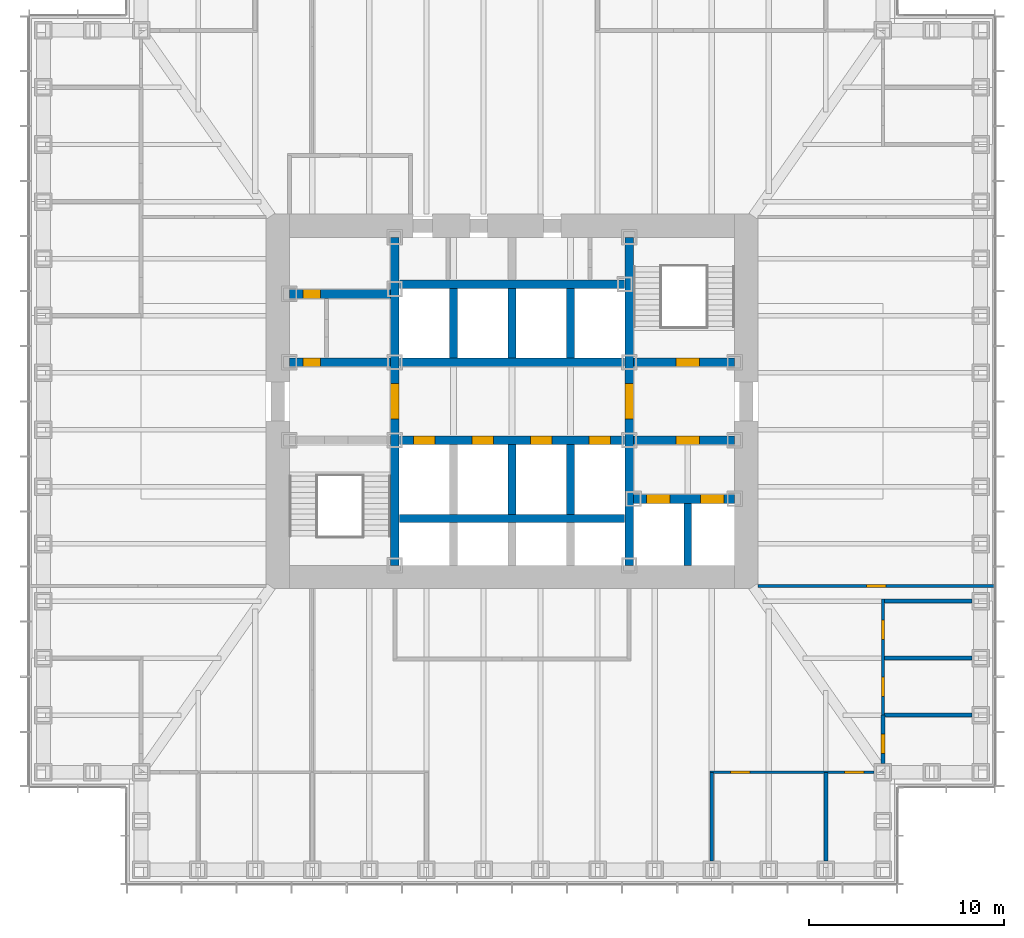
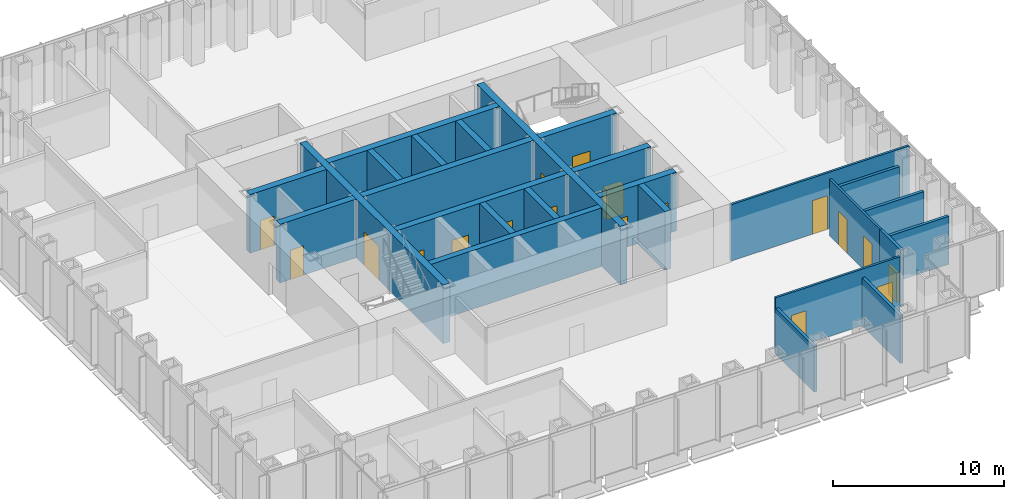
# One storey, part 9 of 17: 26 walls, 18 doors, 18 openings.
"""IFC4 building model written with IfcOpenShell, lengths in metres."""

import ifcopenshell
import ifcopenshell.guid

model = None  # the IFC model being written
_history = None  # IfcOwnerHistory: only IFC2X3 demands one
_inside = {}  # id of a spatial element -> (the spatial element, [elements in it])
_under = {}  # id of a project, library or spatial element -> (it, [spatial elements below it])
_declared = {}  # id of a project -> (the project, [libraries it declares])
_typed = {}  # id of a type object -> (the type object, [elements of that type])
_made_of = {}  # id of a material, layer set ... -> (it, [elements and type objects made of it])


def new_model(schema):
    """Start an empty IFC model of exactly this schema.

    Asked for "IFC4X3", IfcOpenShell would pick the latest addendum, in which some entities
    have other attributes; the version numbers below select the first issue.
    IFC2X3 requires an IfcOwnerHistory on every rooted entity: one is made here for all.
    """
    global model, _history
    if schema == "IFC4X3":
        model = ifcopenshell.file(schema_version=(4, 3, 0, 0))
    else:
        model = ifcopenshell.file(schema=schema)
    _inside.clear()
    _under.clear()
    _declared.clear()
    _typed.clear()
    _made_of.clear()
    _history = None
    if model.schema == "IFC2X3":
        org = make("IfcOrganization", Name="unknown")
        user = make(
            "IfcPersonAndOrganization",
            ThePerson=make("IfcPerson", FamilyName="unknown"),
            TheOrganization=org,
        )
        app = make(
            "IfcApplication",
            ApplicationDeveloper=org,
            Version="unknown",
            ApplicationFullName="unknown",
            ApplicationIdentifier="unknown",
        )
        _history = make(
            "IfcOwnerHistory",
            OwningUser=user,
            OwningApplication=app,
            ChangeAction="ADDED",
            CreationDate=0,
        )
    return model


def make(cls, **values):
    """One entity of the class cls with the attributes given. An attribute that is None is left unset."""
    return model.create_entity(
        cls, **{name: value for name, value in values.items() if value is not None}
    )


def rooted(cls, **values):
    """An entity with a GlobalId (a new one), such as an element, a storey or a relation."""
    return make(cls, GlobalId=ifcopenshell.guid.new(), OwnerHistory=_history, **values)


def si_unit(unit_type, name, prefix=None):
    """IfcSIUnit, for example si_unit("LENGTHUNIT", "METRE", prefix="MILLI")."""
    return make("IfcSIUnit", UnitType=unit_type, Prefix=prefix, Name=name)


def assignment(units):
    """IfcUnitAssignment: the units of a project."""
    return None if units is None else make("IfcUnitAssignment", Units=units)


def point(xyz):
    """IfcCartesianPoint."""
    return None if xyz is None else make("IfcCartesianPoint", Coordinates=xyz)


def direction(xyz):
    """IfcDirection."""
    return None if xyz is None else make("IfcDirection", DirectionRatios=xyz)


def frame(location, z_axis=None, x_axis=None):
    """IfcAxis2Placement3D, a coordinate frame: its origin and axes. An axis left out is left unset."""
    return make(
        "IfcAxis2Placement3D",
        Location=point(location),
        Axis=direction(z_axis),
        RefDirection=direction(x_axis),
    )


def frame_2d(location, x_axis=None):
    """IfcAxis2Placement2D, a coordinate frame in the plane: its origin and x axis."""
    return make(
        "IfcAxis2Placement2D", Location=point(location), RefDirection=direction(x_axis)
    )


def origin():
    """The frame at (0, 0, 0) with its axes left unset."""
    return frame((0.0, 0.0, 0.0))


def place(relative_to, where):
    """IfcLocalPlacement: puts the frame where relative to a parent placement (None: the world)."""
    return make(
        "IfcLocalPlacement", PlacementRelTo=relative_to, RelativePlacement=where
    )


def context(
    kind, dimensions, precision=None, world=None, true_north=None, identifier=None
):
    """IfcGeometricRepresentationContext, for example the 3D "Model" context."""
    return make(
        "IfcGeometricRepresentationContext",
        ContextIdentifier=identifier,
        ContextType=kind,
        CoordinateSpaceDimension=dimensions,
        Precision=precision,
        WorldCoordinateSystem=world,
        TrueNorth=true_north,
    )


def subcontext(parent, identifier, kind, view, scale=None):
    """IfcGeometricRepresentationSubContext, for example "Body" below "Model"."""
    return make(
        "IfcGeometricRepresentationSubContext",
        ContextIdentifier=identifier,
        ContextType=kind,
        ParentContext=parent,
        TargetScale=scale,
        TargetView=view,
    )


def project(units=None, contexts=None):
    """IfcProject with its units and contexts."""
    return rooted(
        "IfcProject",
        Name="project",
        RepresentationContexts=contexts,
        UnitsInContext=assignment(units),
    )


def spatial(cls, under=None, at=None, **own):
    """A site, building, storey or space (cls), placed at a placement, below another one or the project."""
    s = rooted(cls, ObjectPlacement=at, **own)
    if under is not None:
        _under.setdefault(under.id(), (under, []))[1].append(s)
    return s


def profile(cls, at=None, kind="AREA", **sizes):
    """A parametric profile (cls). Its sizes go by their IFC names, for example OverallWidth=200.0."""
    return make(cls, ProfileType=kind, Position=at, **sizes)


def rectangle(**sizes):
    """IfcRectangleProfileDef."""
    return profile("IfcRectangleProfileDef", **sizes)


def extrude(swept, where, along, depth):
    """IfcExtrudedAreaSolid: the profile swept, set in the frame where, extruded along a direction by depth."""
    return make(
        "IfcExtrudedAreaSolid",
        SweptArea=swept,
        Position=where,
        ExtrudedDirection=direction(along),
        Depth=depth,
    )


def shape(context_of_items, identifier, shape_type, items):
    """IfcShapeRepresentation: the items that make up one representation, for example the "Body"."""
    return make(
        "IfcShapeRepresentation",
        ContextOfItems=context_of_items,
        RepresentationIdentifier=identifier,
        RepresentationType=shape_type,
        Items=items,
    )


def material(Name=None, Category=None):
    """IfcMaterial."""
    return make("IfcMaterial", Name=Name, Category=Category)


def layer(
    of_material, thickness, ventilated=None, Name=None, Category=None, Priority=None
):
    """IfcMaterialLayer: one layer of a wall or slab, of a material (None: an air gap)."""
    return make(
        "IfcMaterialLayer",
        Material=of_material,
        LayerThickness=thickness,
        IsVentilated=ventilated,
        Name=Name,
        Category=Category,
        Priority=Priority,
    )


def layer_set(layers, Name=None):
    """IfcMaterialLayerSet."""
    return make("IfcMaterialLayerSet", MaterialLayers=layers, LayerSetName=Name)


def made_of(thing, what):
    """Note that an element or type object is made of a material, layer set ...; save() writes the relation."""
    if what is not None:
        _made_of.setdefault(what.id(), (what, []))[1].append(thing)
    return thing


def type_object(cls, material=None, **own):
    """A type object (cls), such as IfcWallType, which elements share."""
    return made_of(rooted(cls, **own), material)


def element(
    cls,
    number,
    at=None,
    inside=None,
    cuts=None,
    type_object=None,
    material=None,
    context=None,
    identifier="Body",
    shape_type=None,
    held_by="IfcProductDefinitionShape",
    body=None,
    shapes=None,
    **own,
):
    """One element of the class cls, such as IfcWall. Its Tag is "e" and its number.

    at: its placement. inside: the storey or other place that contains it. cuts: it is an
    opening in that element (IfcRelVoidsElement). A single representation is given by context,
    identifier, shape_type and body (its items); several are given by shapes. held_by: the class
    of the entity that holds the representations. save() writes the other relations.
    """
    e = rooted(cls, Tag="e%d" % number, ObjectPlacement=at, **own)
    if body is not None:
        shapes = [shape(context, identifier, shape_type, body)]
    if shapes is not None:
        e.Representation = make(held_by, Representations=shapes)
    if inside is not None:
        _inside.setdefault(inside.id(), (inside, []))[1].append(e)
    if cuts is not None:
        rooted(
            "IfcRelVoidsElement", RelatingBuildingElement=cuts, RelatedOpeningElement=e
        )
    if type_object is not None:
        _typed.setdefault(type_object.id(), (type_object, []))[1].append(e)
    return made_of(e, material)


def fill(opening, filler):
    """IfcRelFillsElement: the door or window that sits in an opening."""
    return rooted(
        "IfcRelFillsElement",
        RelatingOpeningElement=opening,
        RelatedBuildingElement=filler,
    )


def aggregate(whole, parts):
    """IfcRelAggregates: a whole, such as a stair, and the parts it consists of."""
    return rooted("IfcRelAggregates", RelatingObject=whole, RelatedObjects=parts)


def save(model, path):
    """Write the relations noted so far, then the file.

    IfcRelAggregates (storeys below a building ...), IfcRelContainedInSpatialStructure (elements
    in a storey), IfcRelDefinesByType, IfcRelAssociatesMaterial and IfcRelDeclares: one each for
    every whole, place, type object, material and project.
    """
    for whole, parts in _under.values():
        aggregate(whole, parts)
    for where, things in _inside.values():
        rooted(
            "IfcRelContainedInSpatialStructure",
            RelatedElements=things,
            RelatingStructure=where,
        )
    for kind, things in _typed.values():
        rooted("IfcRelDefinesByType", RelatedObjects=things, RelatingType=kind)
    for what, things in _made_of.values():
        rooted("IfcRelAssociatesMaterial", RelatedObjects=things, RelatingMaterial=what)
    for by, libraries in _declared.values():
        rooted("IfcRelDeclares", RelatingContext=by, RelatedDefinitions=libraries)
    model.write(path)


model = new_model("IFC4")

# Units and contexts
model_context = context("Model", 3, precision=1e-05, world=origin(), true_north=direction((0.0, 1.0)))
body_context = subcontext(model_context, "Body", "Model", "MODEL_VIEW")
ifc_project = project(units=[si_unit("LENGTHUNIT", "METRE"), si_unit("AREAUNIT", "SQUARE_METRE"), si_unit("VOLUMEUNIT", "CUBIC_METRE"), si_unit("PLANEANGLEUNIT", "RADIAN"), si_unit("MASSUNIT", "GRAM", prefix="KILO")], contexts=[model_context])

# Site, building, storey
site_placement = place(None, origin())
site = spatial("IfcSite", under=ifc_project, at=site_placement, CompositionType="ELEMENT")
building_placement = place(site_placement, origin())
building = spatial("IfcBuilding", under=site, at=building_placement, Name="Daluyong Arena Tower", CompositionType="ELEMENT")
storey_placement = place(building_placement, frame((0.0, 0.0, 89.5)))
storey = spatial("IfcBuildingStorey", under=building, at=storey_placement, Name="L19", CompositionType="ELEMENT", Elevation=89.5)

# Wall, opening, door
ifc_material_1 = material(Name="Concrete fc' 45 MPa", Category="concrete")
ifc_layer_1 = layer(ifc_material_1, 0.449951171875)
ifc_layer_set_1 = layer_set([ifc_layer_1], Name="Concrete fc' 45 MPa")
wall_type_1 = type_object("IfcWallType", Name="Core inner wall 450", PredefinedType="SHEAR", material=ifc_layer_set_1)
wall_1_placement = place(storey_placement, frame((50.0, 71.60009765625, 0.0), z_axis=(0.0, 0.0, 1.0), x_axis=(0.0, 1.0, 0.0)))
wall_1 = element("IfcWall", 1, at=wall_1_placement, inside=storey, type_object=wall_type_1, Name="core inner wall at L19", PredefinedType="SHEAR", context=body_context, shape_type="SweptSolid", body=[
    extrude(rectangle(XDim=16.7998046875, YDim=0.449951171875, at=frame_2d((8.39990234375, 0.0))), origin(), (0.0, 0.0, 1.0), 4.199951171875),
])
opening_1_placement = place(wall_1_placement, frame((7.5, 0.0, 0.0)))
opening_1 = element("IfcOpeningElement", 2, at=opening_1_placement, cuts=wall_1, Name="Opening 19012", PredefinedType="OPENING", context=body_context, shape_type="SweptSolid", body=[
    extrude(rectangle(XDim=1.800048828125, YDim=2.39990234375, at=frame_2d((0.89990234375, 1.199951171875))), frame((0.0, 0.23486328125, 0.0), z_axis=(0.0, -1.0, 0.0), x_axis=(1.0, 0.0, 0.0)), (0.0, 0.0, 1.0), 0.469970703125),
])
ifc_material_2 = material(Name="Steel door, fire rated", Category="steel")
door_type_1 = type_object("IfcDoorType", Name="Lift lobby opening door 1800", OperationType="DOUBLE_DOOR_SINGLE_SWING", PredefinedType="DOOR", material=ifc_material_2)
door_1_placement = place(opening_1_placement, origin())
door_1 = element("IfcDoor", 3, at=door_1_placement, inside=storey, type_object=door_type_1, Name="lift lobby door west 19012", OperationType="DOUBLE_DOOR_SINGLE_SWING", OverallHeight=2.39990234375, OverallWidth=1.800048828125, PredefinedType="DOOR", context=body_context, shape_type="SweptSolid", body=[
    extrude(rectangle(XDim=1.800048828125, YDim=2.39990234375, at=frame_2d((0.89990234375, 1.199951171875))), frame((0.0, 0.224609375, 0.0), z_axis=(0.0, -1.0, 0.0), x_axis=(1.0, 0.0, 0.0)), (0.0, 0.0, 1.0), 0.449462890625),
])
fill(opening_1, door_1)

wall_2_placement = place(storey_placement, frame((62.0, 71.60009765625, 0.0), z_axis=(0.0, 0.0, 1.0), x_axis=(0.0, 1.0, 0.0)))
wall_2 = element("IfcWall", 4, at=wall_2_placement, inside=storey, type_object=wall_type_1, Name="core inner wall at L19", PredefinedType="SHEAR", context=body_context, shape_type="SweptSolid", body=[
    extrude(rectangle(XDim=16.7998046875, YDim=0.449951171875, at=frame_2d((8.39990234375, 0.0))), origin(), (0.0, 0.0, 1.0), 4.199951171875),
])
opening_2_placement = place(wall_2_placement, frame((7.5, 0.0, 0.0)))
opening_2 = element("IfcOpeningElement", 5, at=opening_2_placement, cuts=wall_2, Name="Opening 19013", PredefinedType="OPENING", context=body_context, shape_type="SweptSolid", body=[
    extrude(rectangle(XDim=1.800048828125, YDim=2.39990234375, at=frame_2d((0.89990234375, 1.199951171875))), frame((0.0, 0.23486328125, 0.0), z_axis=(0.0, -1.0, 0.0), x_axis=(1.0, 0.0, 0.0)), (0.0, 0.0, 1.0), 0.469970703125),
])
door_2_placement = place(opening_2_placement, origin())
door_2 = element("IfcDoor", 6, at=door_2_placement, inside=storey, type_object=door_type_1, Name="lift lobby door east 19013", OperationType="DOUBLE_DOOR_SINGLE_SWING", OverallHeight=2.39990234375, OverallWidth=1.800048828125, PredefinedType="DOOR", context=body_context, shape_type="SweptSolid", body=[
    extrude(rectangle(XDim=1.800048828125, YDim=2.39990234375, at=frame_2d((0.89990234375, 1.199951171875))), frame((0.0, 0.224609375, 0.0), z_axis=(0.0, -1.0, 0.0), x_axis=(1.0, 0.0, 0.0)), (0.0, 0.0, 1.0), 0.449462890625),
])
fill(opening_2, door_2)

wall_3_placement = place(storey_placement, frame((44.60009765625, 82.0, 0.0), z_axis=(0.0, 0.0, 1.0), x_axis=(1.0, 0.0, 0.0)))
wall_3 = element("IfcWall", 7, at=wall_3_placement, inside=storey, type_object=wall_type_1, Name="core inner wall at L19", PredefinedType="SHEAR", context=body_context, shape_type="SweptSolid", body=[
    extrude(rectangle(XDim=5.1748046875, YDim=0.449951171875, at=frame_2d((2.58740234375, 0.0))), origin(), (0.0, 0.0, 1.0), 4.199951171875),
])
opening_3_placement = place(wall_3_placement, frame((0.699951171875, 0.0, 0.0)))
opening_3 = element("IfcOpeningElement", 8, at=opening_3_placement, cuts=wall_3, Name="Opening 19001", PredefinedType="OPENING", context=body_context, shape_type="SweptSolid", body=[
    extrude(rectangle(XDim=0.89990234375, YDim=2.10009765625, at=frame_2d((0.449951171875, 1.050048828125))), frame((0.0, 0.23486328125, 0.0), z_axis=(0.0, -1.0, 0.0), x_axis=(1.0, 0.0, 0.0)), (0.0, 0.0, 1.0), 0.469970703125),
])
ifc_material_3 = material(Name="Steel door, fire rated", Category="steel")
door_type_2 = type_object("IfcDoorType", Name="Core room door 900", OperationType="SINGLE_SWING_LEFT", PredefinedType="DOOR", material=ifc_material_3)
door_3_placement = place(opening_3_placement, origin())
door_3 = element("IfcDoor", 9, at=door_3_placement, inside=storey, type_object=door_type_2, Name="toilet lobby door 19001", OperationType="SINGLE_SWING_LEFT", OverallHeight=2.10009765625, OverallWidth=0.89990234375, PredefinedType="DOOR", context=body_context, shape_type="SweptSolid", body=[
    extrude(rectangle(XDim=0.89990234375, YDim=2.10009765625, at=frame_2d((0.449951171875, 1.050048828125))), frame((0.0, 0.224609375, 0.0), z_axis=(0.0, -1.0, 0.0), x_axis=(1.0, 0.0, 0.0)), (0.0, 0.0, 1.0), 0.449462890625),
])
fill(opening_3, door_3)

wall_4_placement = place(storey_placement, frame((44.60009765625, 85.5, 0.0), z_axis=(0.0, 0.0, 1.0), x_axis=(1.0, 0.0, 0.0)))
wall_4 = element("IfcWall", 10, at=wall_4_placement, inside=storey, type_object=wall_type_1, Name="core inner wall at L19", PredefinedType="SHEAR", context=body_context, shape_type="SweptSolid", body=[
    extrude(rectangle(XDim=5.1748046875, YDim=0.449951171875, at=frame_2d((2.58740234375, 0.0))), origin(), (0.0, 0.0, 1.0), 4.199951171875),
])
opening_4_placement = place(wall_4_placement, frame((0.699951171875, 0.0, 0.0)))
opening_4 = element("IfcOpeningElement", 11, at=opening_4_placement, cuts=wall_4, Name="Opening 19003", PredefinedType="OPENING", context=body_context, shape_type="SweptSolid", body=[
    extrude(rectangle(XDim=0.89990234375, YDim=2.10009765625, at=frame_2d((0.449951171875, 1.050048828125))), frame((0.0, 0.23486328125, 0.0), z_axis=(0.0, -1.0, 0.0), x_axis=(1.0, 0.0, 0.0)), (0.0, 0.0, 1.0), 0.469970703125),
])
ifc_material_4 = material(Name="Timber door", Category="wood")
door_type_3 = type_object("IfcDoorType", Name="Toilet door 900", OperationType="SINGLE_SWING_RIGHT", PredefinedType="DOOR", material=ifc_material_4)
door_4_placement = place(opening_4_placement, origin())
door_4 = element("IfcDoor", 12, at=door_4_placement, inside=storey, type_object=door_type_3, Name="female toilet door 19003", OperationType="SINGLE_SWING_RIGHT", OverallHeight=2.10009765625, OverallWidth=0.89990234375, PredefinedType="DOOR", context=body_context, shape_type="SweptSolid", body=[
    extrude(rectangle(XDim=0.89990234375, YDim=2.10009765625, at=frame_2d((0.449951171875, 1.050048828125))), frame((0.0, 0.224609375, 0.0), z_axis=(0.0, -1.0, 0.0), x_axis=(1.0, 0.0, 0.0)), (0.0, 0.0, 1.0), 0.449462890625),
])
fill(opening_4, door_4)

# Wall, openings, doors
wall_5_placement = place(storey_placement, frame((62.22509765625, 75.0, 0.0), z_axis=(0.0, 0.0, 1.0), x_axis=(1.0, 0.0, 0.0)))
wall_5 = element("IfcWall", 13, at=wall_5_placement, inside=storey, type_object=wall_type_1, Name="core inner wall at L19", PredefinedType="SHEAR", context=body_context, shape_type="SweptSolid", body=[
    extrude(rectangle(XDim=5.1748046875, YDim=0.449951171875, at=frame_2d((2.58740234375, 0.0))), origin(), (0.0, 0.0, 1.0), 4.199951171875),
])
opening_5_placement = place(wall_5_placement, frame((0.675048828125, 0.0, 0.0)))
opening_5 = element("IfcOpeningElement", 14, at=opening_5_placement, cuts=wall_5, Name="Opening 19019", PredefinedType="OPENING", context=body_context, shape_type="SweptSolid", body=[
    extrude(rectangle(XDim=1.199951171875, YDim=2.199951171875, at=frame_2d((0.60009765625, 1.10009765625))), frame((0.0, 0.23486328125, 0.0), z_axis=(0.0, -1.0, 0.0), x_axis=(1.0, 0.0, 0.0)), (0.0, 0.0, 1.0), 0.469970703125),
])
opening_6_placement = place(wall_5_placement, frame((3.425048828125, 0.0, 0.0)))
opening_6 = element("IfcOpeningElement", 15, at=opening_6_placement, cuts=wall_5, Name="Opening 19020", PredefinedType="OPENING", context=body_context, shape_type="SweptSolid", body=[
    extrude(rectangle(XDim=1.199951171875, YDim=2.199951171875, at=frame_2d((0.60009765625, 1.10009765625))), frame((0.0, 0.23486328125, 0.0), z_axis=(0.0, -1.0, 0.0), x_axis=(1.0, 0.0, 0.0)), (0.0, 0.0, 1.0), 0.469970703125),
])
ifc_material_5 = material(Name="Steel door, fire rated", Category="steel")
door_type_4 = type_object("IfcDoorType", Name="Firefighting lift landing door 1200", OperationType="SLIDING_TO_LEFT", PredefinedType="DOOR", material=ifc_material_5)
door_5_placement = place(opening_5_placement, origin())
door_5 = element("IfcDoor", 16, at=door_5_placement, inside=storey, type_object=door_type_4, Name="firefighting lift landing door F1 19019", OperationType="SLIDING_TO_LEFT", OverallHeight=2.199951171875, OverallWidth=1.199951171875, PredefinedType="DOOR", context=body_context, shape_type="SweptSolid", body=[
    extrude(rectangle(XDim=1.199951171875, YDim=2.199951171875, at=frame_2d((0.60009765625, 1.10009765625))), frame((0.0, 0.224609375, 0.0), z_axis=(0.0, -1.0, 0.0), x_axis=(1.0, 0.0, 0.0)), (0.0, 0.0, 1.0), 0.449462890625),
])
fill(opening_5, door_5)
door_6_placement = place(opening_6_placement, origin())
door_6 = element("IfcDoor", 17, at=door_6_placement, inside=storey, type_object=door_type_4, Name="firefighting lift landing door F2 19020", OperationType="SLIDING_TO_LEFT", OverallHeight=2.199951171875, OverallWidth=1.199951171875, PredefinedType="DOOR", context=body_context, shape_type="SweptSolid", body=[
    extrude(rectangle(XDim=1.199951171875, YDim=2.199951171875, at=frame_2d((0.60009765625, 1.10009765625))), frame((0.0, 0.224609375, 0.0), z_axis=(0.0, -1.0, 0.0), x_axis=(1.0, 0.0, 0.0)), (0.0, 0.0, 1.0), 0.449462890625),
])
fill(opening_6, door_6)

# Wall, opening, door
wall_6_placement = place(storey_placement, frame((62.22509765625, 78.0, 0.0), z_axis=(0.0, 0.0, 1.0), x_axis=(1.0, 0.0, 0.0)))
wall_6 = element("IfcWall", 18, at=wall_6_placement, inside=storey, type_object=wall_type_1, Name="core inner wall at L19", PredefinedType="SHEAR", context=body_context, shape_type="SweptSolid", body=[
    extrude(rectangle(XDim=5.1748046875, YDim=0.449951171875, at=frame_2d((2.58740234375, 0.0))), origin(), (0.0, 0.0, 1.0), 4.199951171875),
])
opening_7_placement = place(wall_6_placement, frame((2.175048828125, 0.0, 0.0)))
opening_7 = element("IfcOpeningElement", 19, at=opening_7_placement, cuts=wall_6, Name="Opening 19014", PredefinedType="OPENING", context=body_context, shape_type="SweptSolid", body=[
    extrude(rectangle(XDim=1.199951171875, YDim=2.10009765625, at=frame_2d((0.60009765625, 1.050048828125))), frame((0.0, 0.23486328125, 0.0), z_axis=(0.0, -1.0, 0.0), x_axis=(1.0, 0.0, 0.0)), (0.0, 0.0, 1.0), 0.469970703125),
])
ifc_material_6 = material(Name="Steel door, fire rated", Category="steel")
door_type_5 = type_object("IfcDoorType", Name="Firefighting lobby door 1200", OperationType="SINGLE_SWING_RIGHT", PredefinedType="DOOR", material=ifc_material_6)
door_7_placement = place(opening_7_placement, origin())
door_7 = element("IfcDoor", 20, at=door_7_placement, inside=storey, type_object=door_type_5, Name="firefighting lobby door 19014", OperationType="SINGLE_SWING_RIGHT", OverallHeight=2.10009765625, OverallWidth=1.199951171875, PredefinedType="DOOR", context=body_context, shape_type="SweptSolid", body=[
    extrude(rectangle(XDim=1.199951171875, YDim=2.10009765625, at=frame_2d((0.60009765625, 1.050048828125))), frame((0.0, 0.224609375, 0.0), z_axis=(0.0, -1.0, 0.0), x_axis=(1.0, 0.0, 0.0)), (0.0, 0.0, 1.0), 0.449462890625),
])
fill(opening_7, door_7)

wall_7_placement = place(storey_placement, frame((62.22509765625, 82.0, 0.0), z_axis=(0.0, 0.0, 1.0), x_axis=(1.0, 0.0, 0.0)))
wall_7 = element("IfcWall", 21, at=wall_7_placement, inside=storey, type_object=wall_type_1, Name="core inner wall at L19", PredefinedType="SHEAR", context=body_context, shape_type="SweptSolid", body=[
    extrude(rectangle(XDim=5.1748046875, YDim=0.449951171875, at=frame_2d((2.58740234375, 0.0))), origin(), (0.0, 0.0, 1.0), 4.199951171875),
])
opening_8_placement = place(wall_7_placement, frame((2.175048828125, 0.0, 0.0)))
opening_8 = element("IfcOpeningElement", 22, at=opening_8_placement, cuts=wall_7, Name="Opening 19009", PredefinedType="OPENING", context=body_context, shape_type="SweptSolid", body=[
    extrude(rectangle(XDim=1.199951171875, YDim=2.10009765625, at=frame_2d((0.60009765625, 1.050048828125))), frame((0.0, 0.23486328125, 0.0), z_axis=(0.0, -1.0, 0.0), x_axis=(1.0, 0.0, 0.0)), (0.0, 0.0, 1.0), 0.469970703125),
])
ifc_material_7 = material(Name="Steel door, fire rated", Category="steel")
door_type_6 = type_object("IfcDoorType", Name="Stair door 1200", OperationType="SINGLE_SWING_LEFT", PredefinedType="DOOR", material=ifc_material_7)
door_8_placement = place(opening_8_placement, origin())
door_8 = element("IfcDoor", 23, at=door_8_placement, inside=storey, type_object=door_type_6, Name="stair B door 19009", OperationType="SINGLE_SWING_LEFT", OverallHeight=2.10009765625, OverallWidth=1.199951171875, PredefinedType="DOOR", context=body_context, shape_type="SweptSolid", body=[
    extrude(rectangle(XDim=1.199951171875, YDim=2.10009765625, at=frame_2d((0.60009765625, 1.050048828125))), frame((0.0, 0.224609375, 0.0), z_axis=(0.0, -1.0, 0.0), x_axis=(1.0, 0.0, 0.0)), (0.0, 0.0, 1.0), 0.449462890625),
])
fill(opening_8, door_8)

# Wall, openings, doors
wall_8_placement = place(storey_placement, frame((50.22509765625, 78.0, 0.0), z_axis=(0.0, 0.0, 1.0), x_axis=(1.0, 0.0, 0.0)))
wall_8 = element("IfcWall", 24, at=wall_8_placement, inside=storey, type_object=wall_type_1, Name="core inner wall at L19", PredefinedType="SHEAR", context=body_context, shape_type="SweptSolid", body=[
    extrude(rectangle(XDim=11.5498046875, YDim=0.449951171875, at=frame_2d((5.77490234375, 0.0))), origin(), (0.0, 0.0, 1.0), 4.199951171875),
])
opening_9_placement = place(wall_8_placement, frame((0.72509765625, 0.0, 0.0)))
opening_9 = element("IfcOpeningElement", 25, at=opening_9_placement, cuts=wall_8, Name="Opening 19015", PredefinedType="OPENING", context=body_context, shape_type="SweptSolid", body=[
    extrude(rectangle(XDim=1.10009765625, YDim=2.199951171875, at=frame_2d((0.550048828125, 1.10009765625))), frame((0.0, 0.23486328125, 0.0), z_axis=(0.0, -1.0, 0.0), x_axis=(1.0, 0.0, 0.0)), (0.0, 0.0, 1.0), 0.469970703125),
])
opening_10_placement = place(wall_8_placement, frame((3.72509765625, 0.0, 0.0)))
opening_10 = element("IfcOpeningElement", 26, at=opening_10_placement, cuts=wall_8, Name="Opening 19016", PredefinedType="OPENING", context=body_context, shape_type="SweptSolid", body=[
    extrude(rectangle(XDim=1.10009765625, YDim=2.199951171875, at=frame_2d((0.550048828125, 1.10009765625))), frame((0.0, 0.23486328125, 0.0), z_axis=(0.0, -1.0, 0.0), x_axis=(1.0, 0.0, 0.0)), (0.0, 0.0, 1.0), 0.469970703125),
])
opening_11_placement = place(wall_8_placement, frame((6.72509765625, 0.0, 0.0)))
opening_11 = element("IfcOpeningElement", 27, at=opening_11_placement, cuts=wall_8, Name="Opening 19017", PredefinedType="OPENING", context=body_context, shape_type="SweptSolid", body=[
    extrude(rectangle(XDim=1.10009765625, YDim=2.199951171875, at=frame_2d((0.550048828125, 1.10009765625))), frame((0.0, 0.23486328125, 0.0), z_axis=(0.0, -1.0, 0.0), x_axis=(1.0, 0.0, 0.0)), (0.0, 0.0, 1.0), 0.469970703125),
])
opening_12_placement = place(wall_8_placement, frame((9.72509765625, 0.0, 0.0)))
opening_12 = element("IfcOpeningElement", 28, at=opening_12_placement, cuts=wall_8, Name="Opening 19018", PredefinedType="OPENING", context=body_context, shape_type="SweptSolid", body=[
    extrude(rectangle(XDim=1.10009765625, YDim=2.199951171875, at=frame_2d((0.550048828125, 1.10009765625))), frame((0.0, 0.23486328125, 0.0), z_axis=(0.0, -1.0, 0.0), x_axis=(1.0, 0.0, 0.0)), (0.0, 0.0, 1.0), 0.469970703125),
])
ifc_material_8 = material(Name="Steel door, fire rated", Category="steel")
door_type_7 = type_object("IfcDoorType", Name="Lift landing door 1100", OperationType="SLIDING_TO_LEFT", PredefinedType="DOOR", material=ifc_material_8)
door_9_placement = place(opening_9_placement, origin())
door_9 = element("IfcDoor", 29, at=door_9_placement, inside=storey, type_object=door_type_7, Name="lift landing door A1 19015", OperationType="SLIDING_TO_LEFT", OverallHeight=2.199951171875, OverallWidth=1.10009765625, PredefinedType="DOOR", context=body_context, shape_type="SweptSolid", body=[
    extrude(rectangle(XDim=1.10009765625, YDim=2.199951171875, at=frame_2d((0.550048828125, 1.10009765625))), frame((0.0, 0.224609375, 0.0), z_axis=(0.0, -1.0, 0.0), x_axis=(1.0, 0.0, 0.0)), (0.0, 0.0, 1.0), 0.449462890625),
])
fill(opening_9, door_9)
door_10_placement = place(opening_10_placement, origin())
door_10 = element("IfcDoor", 30, at=door_10_placement, inside=storey, type_object=door_type_7, Name="lift landing door A2 19016", OperationType="SLIDING_TO_LEFT", OverallHeight=2.199951171875, OverallWidth=1.10009765625, PredefinedType="DOOR", context=body_context, shape_type="SweptSolid", body=[
    extrude(rectangle(XDim=1.10009765625, YDim=2.199951171875, at=frame_2d((0.550048828125, 1.10009765625))), frame((0.0, 0.224609375, 0.0), z_axis=(0.0, -1.0, 0.0), x_axis=(1.0, 0.0, 0.0)), (0.0, 0.0, 1.0), 0.449462890625),
])
fill(opening_10, door_10)
door_11_placement = place(opening_11_placement, origin())
door_11 = element("IfcDoor", 31, at=door_11_placement, inside=storey, type_object=door_type_7, Name="lift landing door A3 19017", OperationType="SLIDING_TO_LEFT", OverallHeight=2.199951171875, OverallWidth=1.10009765625, PredefinedType="DOOR", context=body_context, shape_type="SweptSolid", body=[
    extrude(rectangle(XDim=1.10009765625, YDim=2.199951171875, at=frame_2d((0.550048828125, 1.10009765625))), frame((0.0, 0.224609375, 0.0), z_axis=(0.0, -1.0, 0.0), x_axis=(1.0, 0.0, 0.0)), (0.0, 0.0, 1.0), 0.449462890625),
])
fill(opening_11, door_11)
door_12_placement = place(opening_12_placement, origin())
door_12 = element("IfcDoor", 32, at=door_12_placement, inside=storey, type_object=door_type_7, Name="lift landing door A4 19018", OperationType="SLIDING_TO_LEFT", OverallHeight=2.199951171875, OverallWidth=1.10009765625, PredefinedType="DOOR", context=body_context, shape_type="SweptSolid", body=[
    extrude(rectangle(XDim=1.10009765625, YDim=2.199951171875, at=frame_2d((0.550048828125, 1.10009765625))), frame((0.0, 0.224609375, 0.0), z_axis=(0.0, -1.0, 0.0), x_axis=(1.0, 0.0, 0.0)), (0.0, 0.0, 1.0), 0.449462890625),
])
fill(opening_12, door_12)

# Walls
for number, where, z_axis, x_axis, name in (
    (33, (50.22509765625, 82.0, 0.0), (0.0, 0.0, 1.0), (1.0, 0.0, 0.0), "core inner wall at L19"),
    (34, (50.22509765625, 86.0, 0.0), (0.0, 0.0, 1.0), (1.0, 0.0, 0.0), "core inner wall at L19"),
):
    element("IfcWall", number, at=place(storey_placement, frame(where, z_axis=z_axis, x_axis=x_axis)), inside=storey, type_object=wall_type_1, Name=name, PredefinedType="SHEAR", context=body_context, shape_type="SweptSolid", body=[
        extrude(rectangle(XDim=11.5498046875, YDim=0.449951171875, at=frame_2d((5.77490234375, 0.0))), origin(), (0.0, 0.0, 1.0), 4.199951171875),
    ])

# Wall, openings, doors
ifc_material_9 = material(Name="Glazed aluminium partition", Category="aluminium")
ifc_layer_2 = layer(ifc_material_9, 0.14990234375)
ifc_layer_set_2 = layer_set([ifc_layer_2], Name="Glazed aluminium partition")
wall_type_2 = type_object("IfcWallType", Name="Glazed partition 150", PredefinedType="PARTITIONING", material=ifc_layer_set_2)
wall_9_placement = place(storey_placement, frame((66.130859375, 61.0, 0.0), z_axis=(0.0, 0.0, 1.0), x_axis=(1.0, 0.0, 0.0)))
wall_9 = element("IfcWall", 35, at=wall_9_placement, inside=storey, type_object=wall_type_2, Name="glazed partition at L19", PredefinedType="PARTITIONING", context=body_context, shape_type="SweptSolid", body=[
    extrude(rectangle(XDim=8.419189453125, YDim=0.14990234375, at=frame_2d((4.20947265625, 0.0))), origin(), (0.0, 0.0, 1.0), 4.0400390625),
])
opening_13_placement = place(wall_9_placement, frame((1.0615234375, 0.0, 0.0)))
opening_13 = element("IfcOpeningElement", 36, at=opening_13_placement, cuts=wall_9, Name="Opening 19024", PredefinedType="OPENING", context=body_context, shape_type="SweptSolid", body=[
    extrude(rectangle(XDim=1.0, YDim=2.39990234375, at=frame_2d((0.5, 1.199951171875))), frame((0.0, 0.0849609375, 0.0), z_axis=(0.0, -1.0, 0.0), x_axis=(1.0, 0.0, 0.0)), (0.0, 0.0, 1.0), 0.169921875),
])
opening_14_placement = place(wall_9_placement, frame((6.90771484375, 0.0, 0.0)))
opening_14 = element("IfcOpeningElement", 37, at=opening_14_placement, cuts=wall_9, Name="Opening 19025", PredefinedType="OPENING", context=body_context, shape_type="SweptSolid", body=[
    extrude(rectangle(XDim=1.0, YDim=2.39990234375, at=frame_2d((0.5, 1.199951171875))), frame((0.0, 0.0849609375, 0.0), z_axis=(0.0, -1.0, 0.0), x_axis=(1.0, 0.0, 0.0)), (0.0, 0.0, 1.0), 0.169921875),
])
ifc_material_10 = material(Name="Glazed aluminium door", Category="aluminium")
door_type_8 = type_object("IfcDoorType", Name="Meeting room glazed door 1000", OperationType="SINGLE_SWING_RIGHT", PredefinedType="DOOR", material=ifc_material_10)
door_13_placement = place(opening_13_placement, origin())
door_13 = element("IfcDoor", 38, at=door_13_placement, inside=storey, type_object=door_type_8, Name="meeting room door 19024", OperationType="SINGLE_SWING_RIGHT", OverallHeight=2.39990234375, OverallWidth=1.0, PredefinedType="DOOR", context=body_context, shape_type="SweptSolid", body=[
    extrude(rectangle(XDim=1.0, YDim=2.39990234375, at=frame_2d((0.5, 1.199951171875))), frame((0.0, 0.07470703125, 0.0), z_axis=(0.0, -1.0, 0.0), x_axis=(1.0, 0.0, 0.0)), (0.0, 0.0, 1.0), 0.1494140625),
])
fill(opening_13, door_13)
door_14_placement = place(opening_14_placement, origin())
door_14 = element("IfcDoor", 39, at=door_14_placement, inside=storey, type_object=door_type_8, Name="meeting room door 19025", OperationType="SINGLE_SWING_RIGHT", OverallHeight=2.39990234375, OverallWidth=1.0, PredefinedType="DOOR", context=body_context, shape_type="SweptSolid", body=[
    extrude(rectangle(XDim=1.0, YDim=2.39990234375, at=frame_2d((0.5, 1.199951171875))), frame((0.0, 0.07470703125, 0.0), z_axis=(0.0, -1.0, 0.0), x_axis=(1.0, 0.0, 0.0)), (0.0, 0.0, 1.0), 0.1494140625),
])
fill(opening_14, door_14)

# Wall, opening, door
wall_10_placement = place(storey_placement, frame((68.60009765625, 70.550048828125, 0.0), z_axis=(0.0, 0.0, 1.0), x_axis=(1.0, 0.0, 0.0)))
wall_10 = element("IfcWall", 40, at=wall_10_placement, inside=storey, type_object=wall_type_2, Name="glazed partition at L19", PredefinedType="PARTITIONING", context=body_context, shape_type="SweptSolid", body=[
    extrude(rectangle(XDim=12.08984375, YDim=0.14990234375, at=frame_2d((6.044921875, 0.0))), origin(), (0.0, 0.0, 1.0), 4.0400390625),
])
opening_15_placement = place(wall_10_placement, frame((5.544921875, 0.0, 0.0)))
opening_15 = element("IfcOpeningElement", 41, at=opening_15_placement, cuts=wall_10, Name="Opening 19042", PredefinedType="OPENING", context=body_context, shape_type="SweptSolid", body=[
    extrude(rectangle(XDim=1.0, YDim=2.39990234375, at=frame_2d((0.5, 1.199951171875))), frame((0.0, 0.0849609375, 0.0), z_axis=(0.0, -1.0, 0.0), x_axis=(1.0, 0.0, 0.0)), (0.0, 0.0, 1.0), 0.169921875),
])
door_15_placement = place(opening_15_placement, origin())
door_15 = element("IfcDoor", 42, at=door_15_placement, inside=storey, type_object=door_type_8, Name="team area screen door 19042", OperationType="SINGLE_SWING_RIGHT", OverallHeight=2.39990234375, OverallWidth=1.0, PredefinedType="DOOR", context=body_context, shape_type="SweptSolid", body=[
    extrude(rectangle(XDim=1.0, YDim=2.39990234375, at=frame_2d((0.5, 1.199951171875))), frame((0.0, 0.07470703125, 0.0), z_axis=(0.0, -1.0, 0.0), x_axis=(1.0, 0.0, 0.0)), (0.0, 0.0, 1.0), 0.1494140625),
])
fill(opening_15, door_15)

# Wall, openings, doors
wall_11_placement = place(storey_placement, frame((75.0, 63.923095703125, 0.0), z_axis=(0.0, 0.0, 1.0), x_axis=(0.0, 1.0, 0.0)))
wall_11 = element("IfcWall", 43, at=wall_11_placement, inside=storey, type_object=wall_type_2, Name="glazed partition at L19", PredefinedType="PARTITIONING", context=body_context, shape_type="SweptSolid", body=[
    extrude(rectangle(XDim=5.946044921875, YDim=0.14990234375, at=frame_2d((2.97314453125, 0.0))), origin(), (0.0, 0.0, 1.0), 4.0400390625),
])
opening_16_placement = place(wall_11_placement, frame((0.96142578125, 0.0, 0.0)))
opening_16 = element("IfcOpeningElement", 44, at=opening_16_placement, cuts=wall_11, Name="Opening 19027", PredefinedType="OPENING", context=body_context, shape_type="SweptSolid", body=[
    extrude(rectangle(XDim=1.0, YDim=2.39990234375, at=frame_2d((0.5, 1.199951171875))), frame((0.0, 0.0849609375, 0.0), z_axis=(0.0, -1.0, 0.0), x_axis=(1.0, 0.0, 0.0)), (0.0, 0.0, 1.0), 0.169921875),
])
opening_17_placement = place(wall_11_placement, frame((3.884521484375, 0.0, 0.0)))
opening_17 = element("IfcOpeningElement", 45, at=opening_17_placement, cuts=wall_11, Name="Opening 19028", PredefinedType="OPENING", context=body_context, shape_type="SweptSolid", body=[
    extrude(rectangle(XDim=1.0, YDim=2.39990234375, at=frame_2d((0.5, 1.199951171875))), frame((0.0, 0.0849609375, 0.0), z_axis=(0.0, -1.0, 0.0), x_axis=(1.0, 0.0, 0.0)), (0.0, 0.0, 1.0), 0.169921875),
])
door_16_placement = place(opening_16_placement, origin())
door_16 = element("IfcDoor", 46, at=door_16_placement, inside=storey, type_object=door_type_8, Name="focus room door 19027", OperationType="SINGLE_SWING_RIGHT", OverallHeight=2.39990234375, OverallWidth=1.0, PredefinedType="DOOR", context=body_context, shape_type="SweptSolid", body=[
    extrude(rectangle(XDim=1.0, YDim=2.39990234375, at=frame_2d((0.5, 1.199951171875))), frame((0.0, 0.07470703125, 0.0), z_axis=(0.0, -1.0, 0.0), x_axis=(1.0, 0.0, 0.0)), (0.0, 0.0, 1.0), 0.1494140625),
])
fill(opening_16, door_16)
door_17_placement = place(opening_17_placement, origin())
door_17 = element("IfcDoor", 47, at=door_17_placement, inside=storey, type_object=door_type_8, Name="focus room door 19028", OperationType="SINGLE_SWING_RIGHT", OverallHeight=2.39990234375, OverallWidth=1.0, PredefinedType="DOOR", context=body_context, shape_type="SweptSolid", body=[
    extrude(rectangle(XDim=1.0, YDim=2.39990234375, at=frame_2d((0.5, 1.199951171875))), frame((0.0, 0.07470703125, 0.0), z_axis=(0.0, -1.0, 0.0), x_axis=(1.0, 0.0, 0.0)), (0.0, 0.0, 1.0), 0.1494140625),
])
fill(opening_17, door_17)

# Walls
ifc_material_11 = material(Name="Concrete fc' 45 MPa", Category="concrete")
ifc_layer_3 = layer(ifc_material_11, 0.39990234375)
ifc_layer_set_3 = layer_set([ifc_layer_3], Name="Concrete fc' 45 MPa")
wall_type_3 = type_object("IfcWallType", Name="Lift shaft wall 400", PredefinedType="SHEAR", material=ifc_layer_set_3)
wall_12_placement = place(storey_placement, frame((50.22509765625, 74.0, 0.0), z_axis=(0.0, 0.0, 1.0), x_axis=(1.0, 0.0, 0.0)))
element("IfcWall", 48, at=wall_12_placement, inside=storey, type_object=wall_type_3, Name="lift shaft wall at L19", PredefinedType="SHEAR", context=body_context, shape_type="SweptSolid", body=[
    extrude(rectangle(XDim=11.5498046875, YDim=0.39990234375, at=frame_2d((5.77490234375, 0.0))), origin(), (0.0, 0.0, 1.0), 4.199951171875),
])
wall_13_placement = place(storey_placement, frame((53.0, 82.22509765625, 0.0), z_axis=(0.0, 0.0, 1.0), x_axis=(0.0, 1.0, 0.0)))
element("IfcWall", 49, at=wall_13_placement, inside=storey, type_object=wall_type_3, Name="lift shaft wall at L19", PredefinedType="SHEAR", context=body_context, shape_type="SweptSolid", body=[
    extrude(rectangle(XDim=3.5498046875, YDim=0.39990234375, at=frame_2d((1.77490234375, 0.0))), origin(), (0.0, 0.0, 1.0), 4.199951171875),
])
wall_14_placement = place(storey_placement, frame((56.0, 74.199951171875, 0.0), z_axis=(0.0, 0.0, 1.0), x_axis=(0.0, 1.0, 0.0)))
element("IfcWall", 50, at=wall_14_placement, inside=storey, type_object=wall_type_3, Name="lift shaft wall at L19", PredefinedType="SHEAR", context=body_context, shape_type="SweptSolid", body=[
    extrude(rectangle(XDim=3.574951171875, YDim=0.39990234375, at=frame_2d((1.78759765625, 0.0))), origin(), (0.0, 0.0, 1.0), 4.199951171875),
])
wall_15_placement = place(storey_placement, frame((56.0, 82.22509765625, 0.0), z_axis=(0.0, 0.0, 1.0), x_axis=(0.0, 1.0, 0.0)))
element("IfcWall", 51, at=wall_15_placement, inside=storey, type_object=wall_type_3, Name="lift shaft wall at L19", PredefinedType="SHEAR", context=body_context, shape_type="SweptSolid", body=[
    extrude(rectangle(XDim=3.5498046875, YDim=0.39990234375, at=frame_2d((1.77490234375, 0.0))), origin(), (0.0, 0.0, 1.0), 4.199951171875),
])
wall_16_placement = place(storey_placement, frame((59.0, 74.199951171875, 0.0), z_axis=(0.0, 0.0, 1.0), x_axis=(0.0, 1.0, 0.0)))
element("IfcWall", 52, at=wall_16_placement, inside=storey, type_object=wall_type_3, Name="lift shaft wall at L19", PredefinedType="SHEAR", context=body_context, shape_type="SweptSolid", body=[
    extrude(rectangle(XDim=3.574951171875, YDim=0.39990234375, at=frame_2d((1.78759765625, 0.0))), origin(), (0.0, 0.0, 1.0), 4.199951171875),
])
wall_17_placement = place(storey_placement, frame((59.0, 82.22509765625, 0.0), z_axis=(0.0, 0.0, 1.0), x_axis=(0.0, 1.0, 0.0)))
element("IfcWall", 53, at=wall_17_placement, inside=storey, type_object=wall_type_3, Name="lift shaft wall at L19", PredefinedType="SHEAR", context=body_context, shape_type="SweptSolid", body=[
    extrude(rectangle(XDim=3.5498046875, YDim=0.39990234375, at=frame_2d((1.77490234375, 0.0))), origin(), (0.0, 0.0, 1.0), 4.199951171875),
])
wall_18_placement = place(storey_placement, frame((65.0, 71.60009765625, 0.0), z_axis=(0.0, 0.0, 1.0), x_axis=(0.0, 1.0, 0.0)))
element("IfcWall", 54, at=wall_18_placement, inside=storey, type_object=wall_type_3, Name="lift shaft wall at L19", PredefinedType="SHEAR", context=body_context, shape_type="SweptSolid", body=[
    extrude(rectangle(XDim=3.1748046875, YDim=0.39990234375, at=frame_2d((1.58740234375, 0.0))), origin(), (0.0, 0.0, 1.0), 4.199951171875),
])
ifc_material_12 = material(Name="Concrete block partition", Category="concrete")
ifc_layer_4 = layer(ifc_material_12, 0.199951171875)
ifc_layer_set_4 = layer_set([ifc_layer_4], Name="Concrete block partition")
wall_type_4 = type_object("IfcWallType", Name="Partition 200", PredefinedType="PARTITIONING", material=ifc_layer_set_4)
wall_19_placement = place(storey_placement, frame((66.230712890625, 56.449951171875, 0.0), z_axis=(0.0, 0.0, 1.0), x_axis=(0.0, 1.0, 0.0)))
element("IfcWall", 55, at=wall_19_placement, inside=storey, type_object=wall_type_4, Name="partition at L19", PredefinedType="PARTITIONING", context=body_context, shape_type="SweptSolid", body=[
    extrude(rectangle(XDim=4.550048828125, YDim=0.199951171875, at=frame_2d((2.27490234375, 0.0))), origin(), (0.0, 0.0, 1.0), 3.278076171875),
])
for number, where, z_axis, x_axis, name in (
    (56, (72.076904296875, 56.449951171875, 0.0), (0.0, 0.0, 1.0), (0.0, 1.0, 0.0), "partition at L19"),
    (57, (75.0, 63.923095703125, 0.0), (0.0, 0.0, 1.0), (1.0, 0.0, 0.0), "partition at L19"),
    (58, (75.0, 66.84619140625, 0.0), (0.0, 0.0, 1.0), (1.0, 0.0, 0.0), "partition at L19"),
    (59, (75.0, 69.769287109375, 0.0), (0.0, 0.0, 1.0), (1.0, 0.0, 0.0), "partition at L19"),
):
    element("IfcWall", number, at=place(storey_placement, frame(where, z_axis=z_axis, x_axis=x_axis)), inside=storey, type_object=wall_type_4, Name=name, PredefinedType="PARTITIONING", context=body_context, shape_type="SweptSolid", body=[
        extrude(rectangle(XDim=4.550048828125, YDim=0.199951171875, at=frame_2d((2.27490234375, 0.0))), origin(), (0.0, 0.0, 1.0), 3.427978515625),
    ])

# Wall, opening, door
wall_20_placement = place(storey_placement, frame((75.0, 61.449951171875, 0.0), z_axis=(0.0, 0.0, 1.0), x_axis=(0.0, 1.0, 0.0)))
wall_20 = element("IfcWall", 60, at=wall_20_placement, inside=storey, type_object=wall_type_4, Name="partition at L19", PredefinedType="PARTITIONING", context=body_context, shape_type="SweptSolid", body=[
    extrude(rectangle(XDim=2.47314453125, YDim=0.199951171875, at=frame_2d((1.236572265625, 0.0))), origin(), (0.0, 0.0, 1.0), 4.0400390625),
])
opening_18_placement = place(wall_20_placement, frame((0.511474609375, 0.0, 0.0)))
opening_18 = element("IfcOpeningElement", 61, at=opening_18_placement, cuts=wall_20, Name="Opening 19026", PredefinedType="OPENING", context=body_context, shape_type="SweptSolid", body=[
    extrude(rectangle(XDim=1.0, YDim=2.10009765625, at=frame_2d((0.5, 1.050048828125))), frame((0.0, 0.10986328125, 0.0), z_axis=(0.0, -1.0, 0.0), x_axis=(1.0, 0.0, 0.0)), (0.0, 0.0, 1.0), 0.219970703125),
])
ifc_material_13 = material(Name="Timber door", Category="wood")
door_type_9 = type_object("IfcDoorType", Name="Room door 1000", OperationType="SINGLE_SWING_LEFT", PredefinedType="DOOR", material=ifc_material_13)
door_18_placement = place(opening_18_placement, origin())
door_18 = element("IfcDoor", 62, at=door_18_placement, inside=storey, type_object=door_type_9, Name="wellness room door 19026", OperationType="SINGLE_SWING_LEFT", OverallHeight=2.10009765625, OverallWidth=1.0, PredefinedType="DOOR", context=body_context, shape_type="SweptSolid", body=[
    extrude(rectangle(XDim=1.0, YDim=2.10009765625, at=frame_2d((0.5, 1.050048828125))), frame((0.0, 0.099609375, 0.0), z_axis=(0.0, -1.0, 0.0), x_axis=(1.0, 0.0, 0.0)), (0.0, 0.0, 1.0), 0.199462890625),
])
fill(opening_18, door_18)

save(model, "model.ifc")
